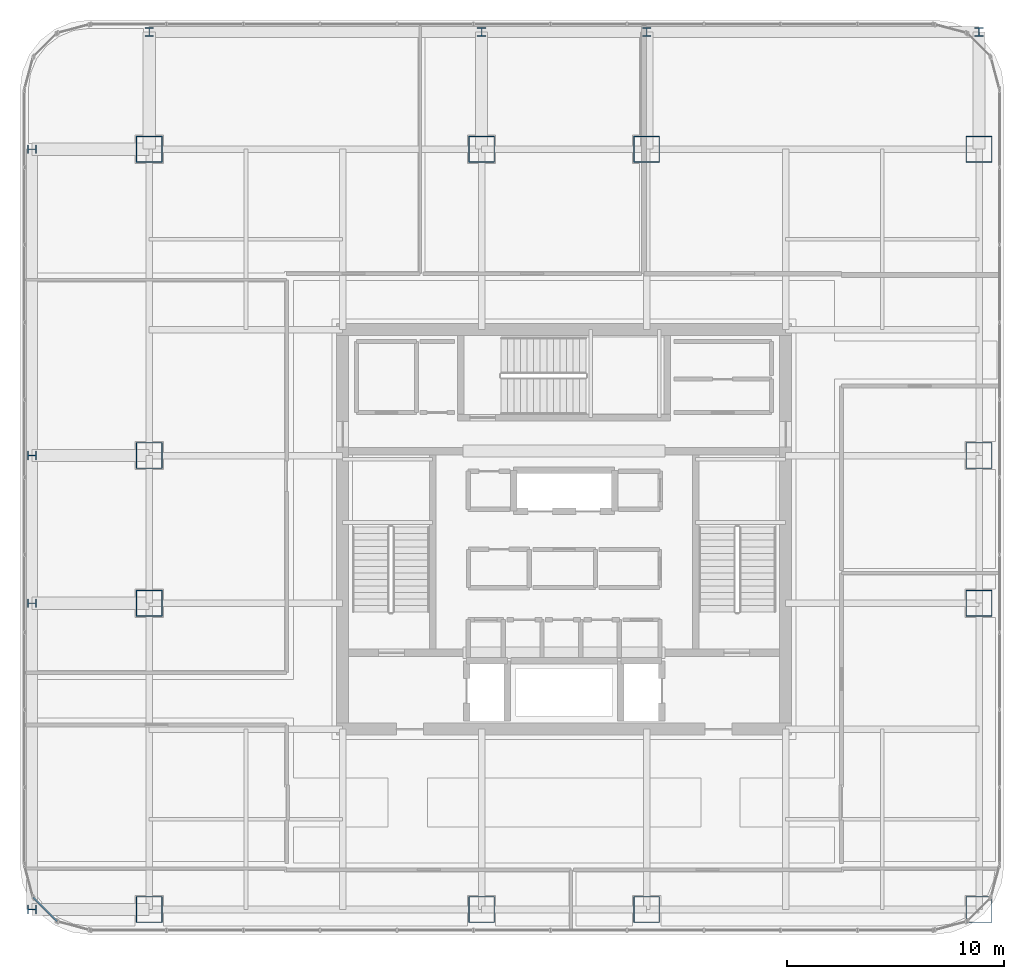
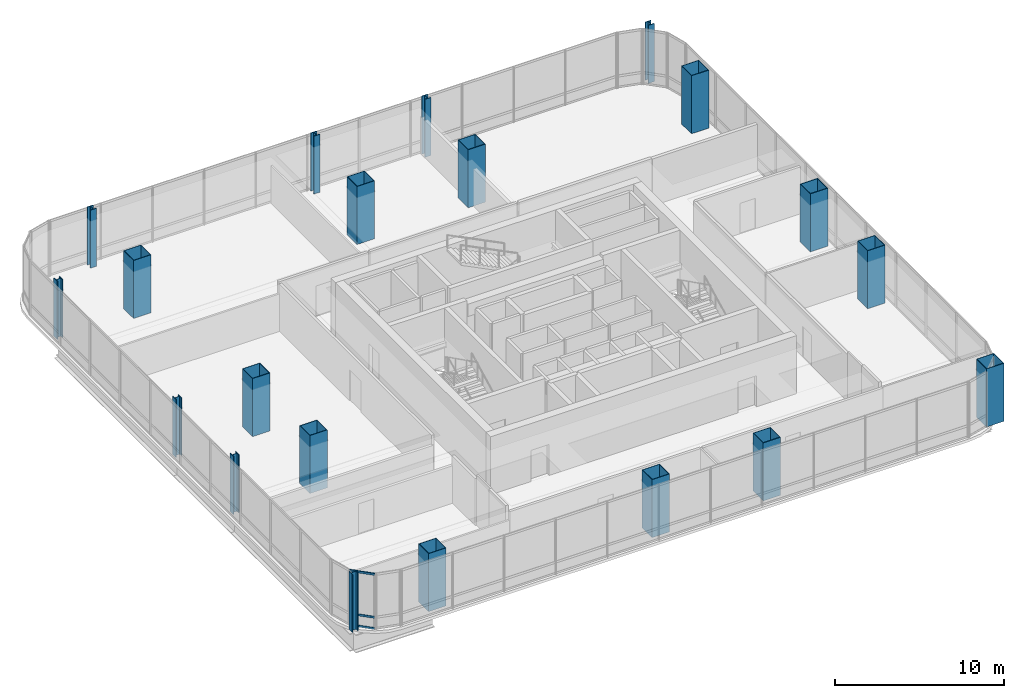
# One storey, part 1 of 41: 20 columns, 3 members, 1 element without a shape of its own.
"""IFC4 building model written with IfcOpenShell, lengths in metres."""

from ifc_helpers import new_model, si_unit, direction, frame, origin, origin_2d, place, context, subcontext, project, spatial, hollow_rectangle, i_section, extrude, material, material_profile, profile_set, type_object, element, aggregate, save


model = new_model("IFC4")

# Units and contexts
model_context = context("Model", 3, precision=1e-05, world=origin(), true_north=direction((0.0, 1.0)))
body_context = subcontext(model_context, "Body", "Model", "MODEL_VIEW")
ifc_project = project(units=[si_unit("LENGTHUNIT", "METRE"), si_unit("AREAUNIT", "SQUARE_METRE"), si_unit("VOLUMEUNIT", "CUBIC_METRE"), si_unit("PLANEANGLEUNIT", "RADIAN"), si_unit("MASSUNIT", "GRAM", prefix="KILO")], contexts=[model_context])

# Site, building, storey
site_placement = place(None, origin())
site = spatial("IfcSite", under=ifc_project, at=site_placement, CompositionType="ELEMENT")
building_placement = place(site_placement, origin())
building = spatial("IfcBuilding", under=site, at=building_placement, Name="Punatoya Terracotta Tower", CompositionType="ELEMENT")
storey_placement = place(building_placement, frame((0.0, 0.0, 288.0)))
storey = spatial("IfcBuildingStorey", under=building, at=storey_placement, Name="L68", CompositionType="ELEMENT", Elevation=288.0)

# Columns
ifc_material_1 = material(Name="Steel S460", Category="steel")
ifc_material_profile_1 = material_profile(ifc_material_1, i_section(OverallWidth=0.406005859375, OverallDepth=0.416015625, WebThickness=0.029052734375, FlangeThickness=0.048095703125, FilletRadius=0.01806640625, at=origin_2d()))
ifc_profile_set_1 = profile_set([ifc_material_profile_1], Name="Steel S460")
column_type_1 = type_object("IfcColumnType", Name="COL-EX-M3", PredefinedType="COLUMN", material=ifc_profile_set_1)
for number, where, z_axis, x_axis, name in (
    (1, (-19.10009765625, 22.89990234375, 0.0), (0.0, 0.0, 1.0), (1.0, 0.0, 0.0), "L68 Exoskeleton Perimeter Column N1"),
    (2, (-3.800048828125, 22.89990234375, 0.0), (0.0, 0.0, 1.0), (1.0, 0.0, 0.0), "L68 Exoskeleton Perimeter Column N2"),
    (3, (3.800048828125, 22.89990234375, 0.0), (0.0, 0.0, 1.0), (1.0, 0.0, 0.0), "L68 Exoskeleton Perimeter Column N3"),
    (4, (19.10009765625, 22.89990234375, 0.0), (0.0, 0.0, 1.0), (1.0, 0.0, 0.0), "L68 Exoskeleton Perimeter Column N4"),
    (5, (-24.5, -17.5, 0.0), (0.0, 0.0, 1.0), (0.0, 1.0, 0.0), "L68 Exoskeleton Perimeter Column W1"),
    (6, (-24.5, -3.39990234375, 0.0), (0.0, 0.0, 1.0), (0.0, 1.0, 0.0), "L68 Exoskeleton Perimeter Column W2"),
    (7, (-24.5, 3.39990234375, 0.0), (0.0, 0.0, 1.0), (0.0, 1.0, 0.0), "L68 Exoskeleton Perimeter Column W3"),
    (8, (-24.5, 17.5, 0.0), (0.0, 0.0, 1.0), (0.0, 1.0, 0.0), "L68 Exoskeleton Perimeter Column W4"),
):
    element("IfcColumn", number, at=place(storey_placement, frame(where, z_axis=z_axis, x_axis=x_axis)), inside=storey, type_object=column_type_1, Name=name, PredefinedType="COLUMN", context=body_context, shape_type="SweptSolid", body=[
        extrude(i_section(OverallWidth=0.406005859375, OverallDepth=0.416015625, WebThickness=0.029052734375, FlangeThickness=0.048095703125, FilletRadius=0.01806640625, at=origin_2d()), origin(), (0.0, 0.0, 1.0), 4.197998046875),
    ])
ifc_material_profile_2 = material_profile(ifc_material_1, hollow_rectangle(XDim=1.199951171875, YDim=1.199951171875, WallThickness=0.034912109375, at=origin_2d()))
ifc_profile_set_2 = profile_set([ifc_material_profile_2], Name="Steel S460")
column_type_2 = type_object("IfcColumnType", Name="COL-MC-Z4", PredefinedType="COLUMN", material=ifc_profile_set_2)
for number, where, z_axis, x_axis, name in (
    (9, (-19.10009765625, -17.5, 0.0), (0.0, 0.0, 1.0), (1.0, 0.0, 0.0), "L68 Composite Mega-Column MC-01 (3-B)"),
    (10, (-3.800048828125, -17.5, 0.0), (0.0, 0.0, 1.0), (1.0, 0.0, 0.0), "L68 Composite Mega-Column MC-02 (5-B)"),
    (11, (3.800048828125, -17.5, 0.0), (0.0, 0.0, 1.0), (1.0, 0.0, 0.0), "L68 Composite Mega-Column MC-03 (7-B)"),
    (12, (19.10009765625, -17.5, 0.0), (0.0, 0.0, 1.0), (1.0, 0.0, 0.0), "L68 Composite Mega-Column MC-04 (9-B)"),
    (13, (19.10009765625, -3.39990234375, 0.0), (0.0, 0.0, 1.0), (1.0, 0.0, 0.0), "L68 Composite Mega-Column MC-05 (9-D)"),
    (14, (19.10009765625, 3.39990234375, 0.0), (0.0, 0.0, 1.0), (1.0, 0.0, 0.0), "L68 Composite Mega-Column MC-06 (9-E)"),
    (15, (19.10009765625, 17.5, 0.0), (0.0, 0.0, 1.0), (1.0, 0.0, 0.0), "L68 Composite Mega-Column MC-07 (9-G)"),
    (16, (3.800048828125, 17.5, 0.0), (0.0, 0.0, 1.0), (1.0, 0.0, 0.0), "L68 Composite Mega-Column MC-08 (7-G)"),
    (17, (-3.800048828125, 17.5, 0.0), (0.0, 0.0, 1.0), (1.0, 0.0, 0.0), "L68 Composite Mega-Column MC-09 (5-G)"),
    (18, (-19.10009765625, 17.5, 0.0), (0.0, 0.0, 1.0), (1.0, 0.0, 0.0), "L68 Composite Mega-Column MC-10 (3-G)"),
    (19, (-19.10009765625, 3.39990234375, 0.0), (0.0, 0.0, 1.0), (1.0, 0.0, 0.0), "L68 Composite Mega-Column MC-11 (3-E)"),
    (20, (-19.10009765625, -3.39990234375, 0.0), (0.0, 0.0, 1.0), (1.0, 0.0, 0.0), "L68 Composite Mega-Column MC-12 (3-D)"),
):
    element("IfcColumn", number, at=place(storey_placement, frame(where, z_axis=z_axis, x_axis=x_axis)), inside=storey, type_object=column_type_2, Name=name, PredefinedType="COLUMN", context=body_context, shape_type="SweptSolid", body=[
        extrude(hollow_rectangle(XDim=1.199951171875, YDim=1.199951171875, WallThickness=0.034912109375, at=origin_2d()), origin(), (0.0, 0.0, 1.0), 4.199951171875),
    ])

# Curtain wall, members
ifc_material_2 = material(Name="Aluminium 6063-T6 + Double Low-E Glass", Category="aluminium")
curtain_wall_type = type_object("IfcCurtainWallType", Name="CW-M3", PredefinedType="NOTDEFINED", material=ifc_material_2)
curtain_wall_placement = place(storey_placement, origin())
curtain_wall = element("IfcCurtainWall", 21, at=curtain_wall_placement, inside=storey, type_object=curtain_wall_type, Name="L68 Curtain Wall CW-L68-CRN15", PredefinedType="NOTDEFINED")
ifc_material_3 = material(Name="Aluminium 6063-T6", Category="aluminium")
ifc_material_profile_3 = material_profile(ifc_material_3, hollow_rectangle(XDim=0.068115234375, YDim=0.14990234375, WallThickness=0.00390625, at=origin_2d()))
ifc_profile_set_3 = profile_set([ifc_material_profile_3], Name="Aluminium 6063-T6")
member_type = type_object("IfcMemberType", Name="CW-TRN-TYP", PredefinedType="USERDEFINED", material=ifc_profile_set_3)
member_1_placement = place(storey_placement, frame((-24.446533203125, -16.94921875, 0.0400390625), z_axis=(0.707106781187, -0.707106781187, 0.0), x_axis=(0.707106781187, 0.707106781187, 0.0)))
member_1 = element("IfcMember", 22, at=member_1_placement, type_object=member_type, Name="CW-L68-CRN15 Transom 1", ObjectType="TRANSOM", PredefinedType="USERDEFINED", context=body_context, shape_type="SweptSolid", body=[
    extrude(hollow_rectangle(XDim=0.068115234375, YDim=0.14990234375, WallThickness=0.00390625, at=origin_2d()), origin(), (0.0, 0.0, 1.0), 1.552001953125),
])
member_2_placement = place(storey_placement, frame((-24.446533203125, -16.94921875, 0.85009765625), z_axis=(0.707106781187, -0.707106781187, 0.0), x_axis=(0.707106781187, 0.707106781187, 0.0)))
member_2 = element("IfcMember", 23, at=member_2_placement, type_object=member_type, Name="CW-L68-CRN15 Transom 2", ObjectType="TRANSOM", PredefinedType="USERDEFINED", context=body_context, shape_type="SweptSolid", body=[
    extrude(hollow_rectangle(XDim=0.068115234375, YDim=0.14990234375, WallThickness=0.00390625, at=origin_2d()), origin(), (0.0, 0.0, 1.0), 1.552001953125),
])
member_3_placement = place(storey_placement, frame((-24.446533203125, -16.94921875, 3.9599609375), z_axis=(0.707106781187, -0.707106781187, 0.0), x_axis=(0.707106781187, 0.707106781187, 0.0)))
member_3 = element("IfcMember", 24, at=member_3_placement, type_object=member_type, Name="CW-L68-CRN15 Transom 3", ObjectType="TRANSOM", PredefinedType="USERDEFINED", context=body_context, shape_type="SweptSolid", body=[
    extrude(hollow_rectangle(XDim=0.068115234375, YDim=0.14990234375, WallThickness=0.00390625, at=origin_2d()), origin(), (0.0, 0.0, 1.0), 1.552001953125),
])
aggregate(curtain_wall, [member_1, member_2, member_3])

save(model, "model.ifc")
